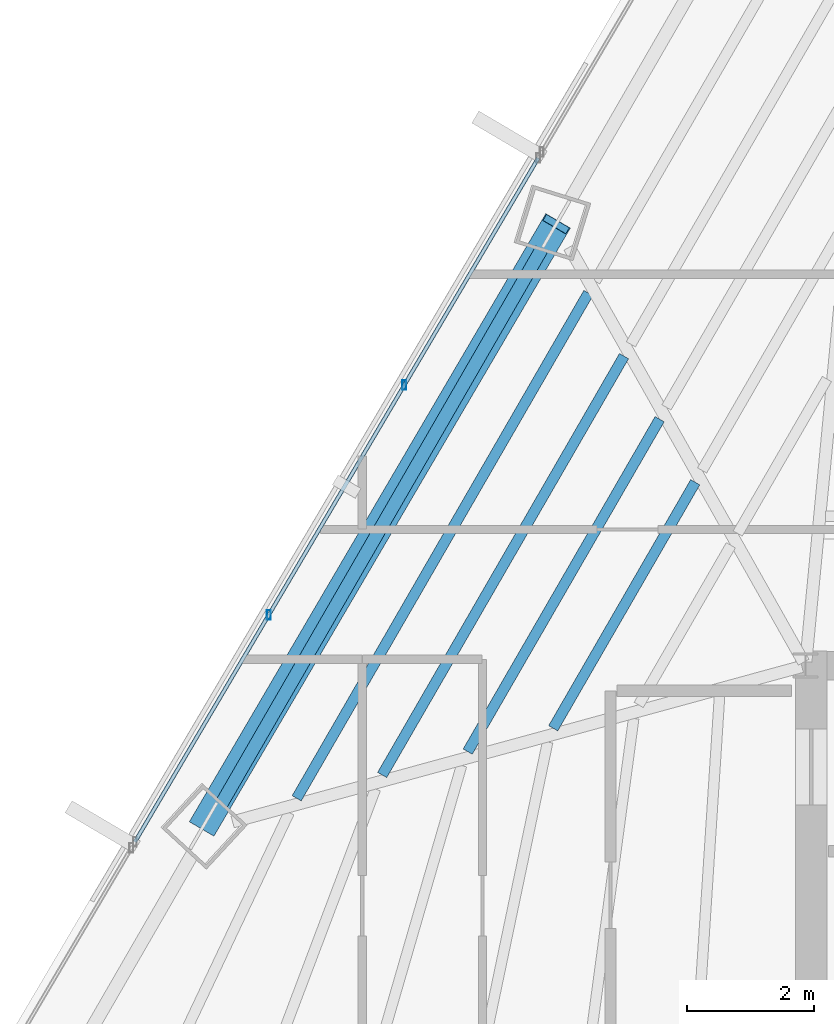
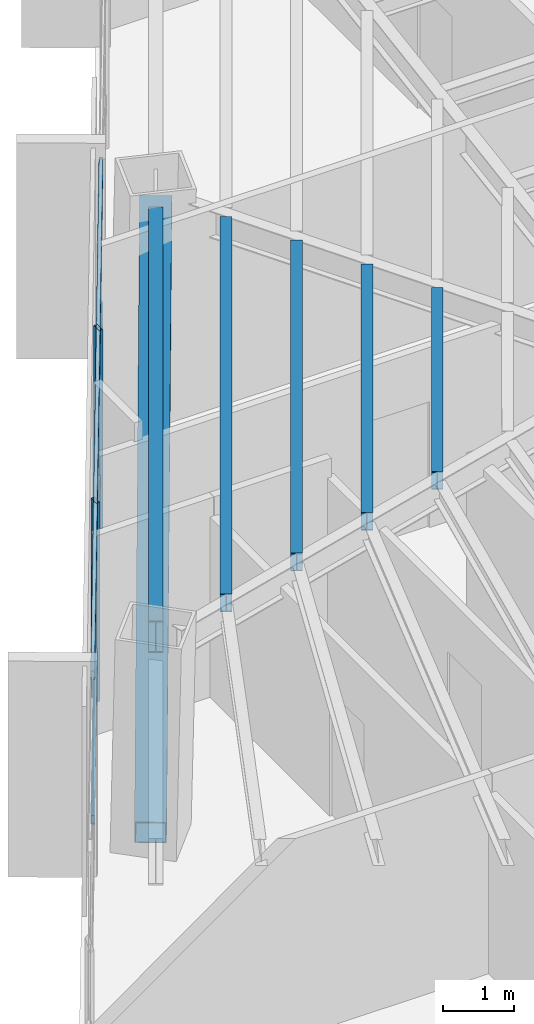
# One storey, part 14 of 41: 5 beams, 5 members, 1 element without a shape of its own.
"""IFC4 building model written with IfcOpenShell, lengths in metres."""

from ifc_helpers import new_model, si_unit, direction, frame, origin, origin_2d, place, context, subcontext, project, spatial, hollow_rectangle, i_section, extrude, source, transform, mapped, material, material_profile, profile_set, type_object, type_shapes, element, aggregate, save


model = new_model("IFC4")

# Units and contexts
model_context = context("Model", 3, precision=1e-05, world=origin(), true_north=direction((0.0, 1.0)))
body_context = subcontext(model_context, "Body", "Model", "MODEL_VIEW")
ifc_project = project(units=[si_unit("LENGTHUNIT", "METRE"), si_unit("AREAUNIT", "SQUARE_METRE"), si_unit("VOLUMEUNIT", "CUBIC_METRE"), si_unit("PLANEANGLEUNIT", "RADIAN"), si_unit("MASSUNIT", "GRAM", prefix="KILO")], contexts=[model_context])

# Site, building, storey
site_placement = place(None, origin())
site = spatial("IfcSite", under=ifc_project, at=site_placement, CompositionType="ELEMENT")
building_placement = place(site_placement, origin())
building = spatial("IfcBuilding", under=site, at=building_placement, Name="Caelisora Broadcast Tower", CompositionType="ELEMENT")
storey_placement = place(building_placement, frame((0.0, 0.0, 165.800048828125)))
storey = spatial("IfcBuildingStorey", under=building, at=storey_placement, Name="L43", CompositionType="ELEMENT", Elevation=165.800048828125)

# Beams
ifc_material_1 = material(Name="Steel Grade 350 (AS/NZS 3679.1)", Category="steel")
ifc_material_profile_1 = material_profile(ifc_material_1, i_section(OverallWidth=0.208984375, OverallDepth=0.532958984375, WebThickness=0.01025390625, FlangeThickness=0.015625, at=origin_2d()), Name="Steel Grade 350 (AS/NZS 3679.1)")
ifc_profile_set_1 = profile_set([ifc_material_profile_1], Name="Steel Grade 350 (AS/NZS 3679.1)")
beam_type_1 = type_object("IfcBeamType", Name="PG05", PredefinedType="BEAM", material=ifc_profile_set_1)
shared_shape_1 = source(origin(), body_context, "Body", "SweptSolid", [
    extrude(i_section(OverallWidth=0.208984375, OverallDepth=0.532958984375, WebThickness=0.01025390625, FlangeThickness=0.015625, at=origin_2d()), origin(), (0.0, 0.0, 1.0), 10.108642578125),
])
type_shapes(beam_type_1, [shared_shape_1])
beam_1_placement = place(storey_placement, frame((26.332763671875, 36.572265625, 3.133544921875), z_axis=(-0.500017233462, -0.866015453812, 0.0), x_axis=(0.866015453812, -0.500017233462, 0.0)))
element("IfcBeam", 1, at=beam_1_placement, inside=storey, type_object=beam_type_1, Name="L43 beam PG05", PredefinedType="BEAM", context=body_context, shape_type="MappedRepresentation", body=[
    mapped(shared_shape_1, transform((0.0, 0.0, 0.0), scale=1.0)),
])
ifc_material_profile_2 = material_profile(ifc_material_1, i_section(OverallWidth=0.166015625, OverallDepth=0.30712890625, WebThickness=0.006591796875, FlangeThickness=0.01171875, at=origin_2d()), Name="Steel Grade 350 (AS/NZS 3679.1)")
ifc_profile_set_2 = profile_set([ifc_material_profile_2], Name="Steel Grade 350 (AS/NZS 3679.1)")
beam_type_2 = type_object("IfcBeamType", Name="SB03", PredefinedType="JOIST", material=ifc_profile_set_2)
shared_shape_2 = source(origin(), body_context, "Body", "SweptSolid", [
    extrude(i_section(OverallWidth=0.166015625, OverallDepth=0.30712890625, WebThickness=0.006591796875, FlangeThickness=0.01171875, at=origin_2d()), origin(), (0.0, 0.0, 1.0), 4.486083984375),
])
beam_2_placement = place(storey_placement, frame((28.758544921875, 32.89404296875, 3.246337890625), z_axis=(-0.499984700226, -0.866034236933, 0.0), x_axis=(0.866034236933, -0.499984700226, 0.0)))
element("IfcBeam", 2, at=beam_2_placement, inside=storey, type_object=beam_type_2, Name="L43 beam SB03", PredefinedType="JOIST", context=body_context, shape_type="MappedRepresentation", body=[
    mapped(shared_shape_2, transform((0.0, 0.0, 0.0), scale=1.0)),
])
shared_shape_3 = source(origin(), body_context, "Body", "SweptSolid", [
    extrude(i_section(OverallWidth=0.166015625, OverallDepth=0.30712890625, WebThickness=0.006591796875, FlangeThickness=0.01171875, at=origin_2d()), origin(), (0.0, 0.0, 1.0), 6.061767578125),
])
beam_3_placement = place(storey_placement, frame((28.1962890625, 33.889892578125, 3.246337890625), z_axis=(-0.500024603663, -0.866011198387, 0.0), x_axis=(0.866011198387, -0.500024603663, 0.0)))
element("IfcBeam", 3, at=beam_3_placement, inside=storey, type_object=beam_type_2, Name="L43 beam SB03", PredefinedType="JOIST", context=body_context, shape_type="MappedRepresentation", body=[
    mapped(shared_shape_3, transform((0.0, 0.0, 0.0), scale=1.0)),
])
shared_shape_4 = source(origin(), body_context, "Body", "SweptSolid", [
    extrude(i_section(OverallWidth=0.166015625, OverallDepth=0.30712890625, WebThickness=0.006591796875, FlangeThickness=0.01171875, at=origin_2d()), origin(), (0.0, 0.0, 1.0), 7.636962890625),
])
beam_4_placement = place(storey_placement, frame((27.6337890625, 34.885498046875, 3.246337890625), z_axis=(-0.500013935038, -0.866017358237, 0.0), x_axis=(0.866017358237, -0.500013935038, 0.0)))
element("IfcBeam", 4, at=beam_4_placement, inside=storey, type_object=beam_type_2, Name="L43 beam SB03", PredefinedType="JOIST", context=body_context, shape_type="MappedRepresentation", body=[
    mapped(shared_shape_4, transform((0.0, 0.0, 0.0), scale=1.0)),
])
shared_shape_5 = source(origin(), body_context, "Body", "SweptSolid", [
    extrude(i_section(OverallWidth=0.166015625, OverallDepth=0.30712890625, WebThickness=0.006591796875, FlangeThickness=0.01171875, at=origin_2d()), origin(), (0.0, 0.0, 1.0), 9.212158203125),
])
type_shapes(beam_type_2, [shared_shape_2, shared_shape_3, shared_shape_4, shared_shape_5])
beam_5_placement = place(storey_placement, frame((27.0712890625, 35.88134765625, 3.246337890625), z_axis=(-0.500006914999, -0.866021411371, 0.0), x_axis=(0.866021411371, -0.500006914999, 0.0)))
element("IfcBeam", 5, at=beam_5_placement, inside=storey, type_object=beam_type_2, Name="L43 beam SB03", PredefinedType="JOIST", context=body_context, shape_type="MappedRepresentation", body=[
    mapped(shared_shape_5, transform((0.0, 0.0, 0.0), scale=1.0)),
])

# Member
ifc_material_2 = material(Name="Steel Grade 450 (AS/NZS 1163 C450L0)", Category="steel")
ifc_material_profile_3 = material_profile(ifc_material_2, hollow_rectangle(XDim=0.449951171875, YDim=0.449951171875, WallThickness=0.01611328125, at=origin_2d()), Name="Steel Grade 450 (AS/NZS 1163 C450L0)")
ifc_profile_set_3 = profile_set([ifc_material_profile_3], Name="Steel Grade 450 (AS/NZS 1163 C450L0)")
member_type_1 = type_object("IfcMemberType", Name="BR03", PredefinedType="BRACE", material=ifc_profile_set_3)
shared_shape_6 = source(origin(), body_context, "Body", "SweptSolid", [
    extrude(hollow_rectangle(XDim=0.449951171875, YDim=0.449951171875, WallThickness=0.01611328125, at=origin_2d()), origin(), (0.0, 0.0, 1.0), 11.413818359375),
])
type_shapes(member_type_1, [shared_shape_6])
member_1_placement = place(storey_placement, frame((26.562744140625, 36.970703125, 3.099853515625), z_axis=(-0.487902632766, -0.832386275936, -0.262838559905), x_axis=(0.862719648167, -0.505682517659, 0.0)))
element("IfcMember", 6, at=member_1_placement, inside=storey, type_object=member_type_1, Name="L43 perimeter brace BR03", PredefinedType="BRACE", context=body_context, shape_type="MappedRepresentation", body=[
    mapped(shared_shape_6, transform((0.0, 0.0, 0.0), scale=1.0)),
])

# Curtain wall, members
ifc_material_3 = material(Name="Unitised Aluminium Insulated Shadow-Box Spandrel Curtain Wall", Category="aluminium")
curtain_wall_type = type_object("IfcCurtainWallType", Name="CW-SP2", PredefinedType="NOTDEFINED", material=ifc_material_3)
curtain_wall_placement = place(storey_placement, origin())
curtain_wall = element("IfcCurtainWall", 7, at=curtain_wall_placement, inside=storey, type_object=curtain_wall_type, Name="L43 curtain wall CW-SP2", PredefinedType="NOTDEFINED")
ifc_material_4 = material(Name="Aluminium 6063-T6 Anodised Terracotta Bronze", Category="aluminium")
ifc_material_profile_4 = material_profile(ifc_material_4, hollow_rectangle(XDim=0.06005859375, YDim=0.14990234375, WallThickness=0.00341796875, at=origin_2d()), Name="Aluminium 6063-T6 Anodised Terracotta Bronze")
ifc_profile_set_4 = profile_set([ifc_material_profile_4], Name="Aluminium 6063-T6 Anodised Terracotta Bronze")
member_type_2 = type_object("IfcMemberType", Name="CWM-03", PredefinedType="MULLION", material=ifc_profile_set_4)
shared_shape_7 = source(origin(), body_context, "Body", "SweptSolid", [
    extrude(hollow_rectangle(XDim=0.06005859375, YDim=0.14990234375, WallThickness=0.00341796875, at=origin_2d()), origin(), (0.0, 0.0, 1.0), 3.39990234375),
])
type_shapes(member_type_2, [shared_shape_7])
member_2_placement = place(storey_placement, frame((22.025146484375, 30.799560546875, 0.0), z_axis=(0.0, 0.0, 1.0), x_axis=(1.0, 0.0, 0.0)))
member_2 = element("IfcMember", 8, at=member_2_placement, type_object=member_type_2, Name="L43-CW-B10 mullion #1", PredefinedType="MULLION", context=body_context, shape_type="MappedRepresentation", body=[
    mapped(shared_shape_7, transform((0.0, 0.0, 0.0), scale=1.0)),
])
member_3_placement = place(storey_placement, frame((24.16455078125, 34.427490234375, 0.0), z_axis=(0.0, 0.0, 1.0), x_axis=(1.0, 0.0, 0.0)))
member_3 = element("IfcMember", 9, at=member_3_placement, type_object=member_type_2, Name="L43-CW-B10 mullion #2", PredefinedType="MULLION", context=body_context, shape_type="MappedRepresentation", body=[
    mapped(shared_shape_7, transform((0.0, 0.0, 0.0), scale=1.0)),
])
ifc_material_profile_5 = material_profile(ifc_material_4, hollow_rectangle(XDim=0.06005859375, YDim=0.14990234375, WallThickness=0.00341796875, at=origin_2d()), Name="Aluminium 6063-T6 Anodised Terracotta Bronze")
ifc_profile_set_5 = profile_set([ifc_material_profile_5], Name="Aluminium 6063-T6 Anodised Terracotta Bronze")
member_type_3 = type_object("IfcMemberType", Name="CWT-02", PredefinedType="USERDEFINED", material=ifc_profile_set_5)
shared_shape_8 = source(origin(), body_context, "Body", "SweptSolid", [
    extrude(hollow_rectangle(XDim=0.06005859375, YDim=0.14990234375, WallThickness=0.00341796875, at=origin_2d()), origin(), (0.0, 0.0, 1.0), 12.535400390625),
])
type_shapes(member_type_3, [shared_shape_8])
member_4_placement = place(storey_placement, frame((19.910888671875, 27.21484375, 0.849853515625), z_axis=(0.507999470313, 0.861357381208, 0.0), x_axis=(-0.861357381208, 0.507999470313, 0.0)))
member_4 = element("IfcMember", 10, at=member_4_placement, type_object=member_type_3, Name="L43-CW-B10 transom #1", ObjectType="TRANSOM", PredefinedType="USERDEFINED", context=body_context, shape_type="MappedRepresentation", body=[
    mapped(shared_shape_8, transform((0.0, 0.0, 0.0), scale=1.0)),
])
member_5_placement = place(storey_placement, frame((19.910888671875, 27.21484375, 3.320068359375), z_axis=(0.507999470313, 0.861357381208, 0.0), x_axis=(-0.861357381208, 0.507999470313, 0.0)))
member_5 = element("IfcMember", 11, at=member_5_placement, type_object=member_type_3, Name="L43-CW-B10 transom #2", ObjectType="TRANSOM", PredefinedType="USERDEFINED", context=body_context, shape_type="MappedRepresentation", body=[
    mapped(shared_shape_8, transform((0.0, 0.0, 0.0), scale=1.0)),
])
aggregate(curtain_wall, [member_2, member_3, member_4, member_5])

save(model, "model.ifc")
